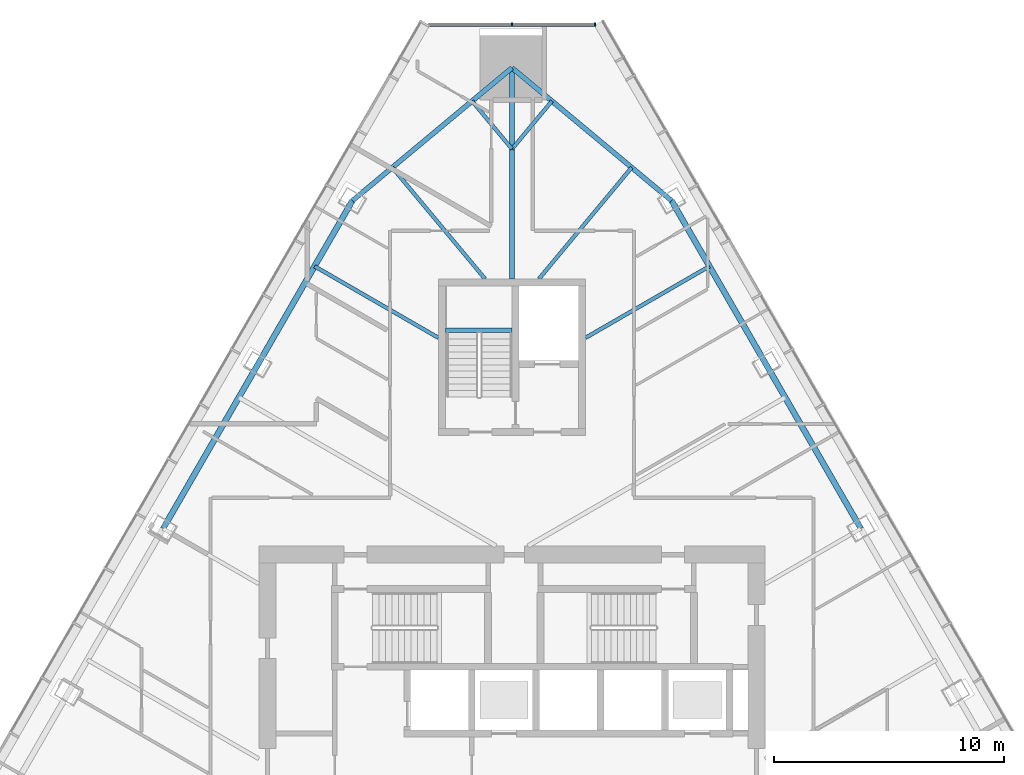
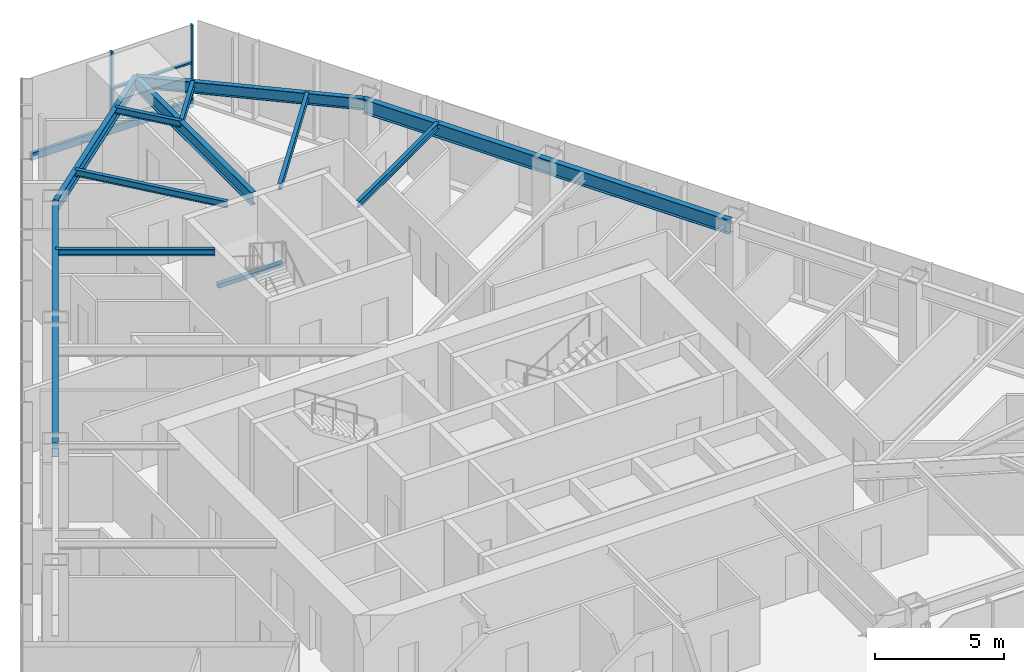
# One storey, part 8 of 16: 12 beams, 4 members, 1 element without a shape of its own.
"""IFC4 building model written with IfcOpenShell, lengths in metres."""

from ifc_helpers import new_model, si_unit, direction, frame, origin, origin_2d, place, context, subcontext, project, spatial, rectangle, i_section, extrude, material, layer, layer_set, material_profile, profile_set, type_object, element, aggregate, save


model = new_model("IFC4")

# Units and contexts
model_context = context("Model", 3, precision=1e-05, world=origin(), true_north=direction((0.0, 1.0)))
body_context = subcontext(model_context, "Body", "Model", "MODEL_VIEW")
ifc_project = project(units=[si_unit("LENGTHUNIT", "METRE"), si_unit("AREAUNIT", "SQUARE_METRE"), si_unit("VOLUMEUNIT", "CUBIC_METRE"), si_unit("PLANEANGLEUNIT", "RADIAN"), si_unit("MASSUNIT", "GRAM", prefix="KILO")], contexts=[model_context])

# Site, building, storey
site_placement = place(None, origin())
site = spatial("IfcSite", under=ifc_project, at=site_placement, CompositionType="ELEMENT")
building_placement = place(site_placement, origin())
building = spatial("IfcBuilding", under=site, at=building_placement, Name="Firuza Gate Tower and Library", CompositionType="ELEMENT")
storey_placement = place(building_placement, frame((0.0, 0.0, 229.89990234375)))
storey = spatial("IfcBuildingStorey", under=building, at=storey_placement, Name="L54", CompositionType="ELEMENT", Elevation=229.89990234375)

# Curtain wall, members
ifc_material_1 = material(Name="Aluminium 6063-T6", Category="aluminium")
ifc_layer = layer(ifc_material_1, 0.14990234375)
ifc_layer_set = layer_set([ifc_layer], Name="Corner curtain wall, chamfers")
curtain_wall_type = type_object("IfcCurtainWallType", Name="Corner curtain wall, chamfers", PredefinedType="NOTDEFINED", material=ifc_layer_set)
curtain_wall_placement = place(storey_placement, origin())
curtain_wall = element("IfcCurtainWall", 1, at=curtain_wall_placement, inside=storey, type_object=curtain_wall_type, Name="CW4 L54 N corner", PredefinedType="NOTDEFINED")
ifc_material_2 = material(Name="Aluminium 6063-T6", Category="aluminium")
ifc_material_profile_1 = material_profile(ifc_material_2, rectangle(XDim=0.14990234375, YDim=0.080078125, at=origin_2d()))
ifc_profile_set_1 = profile_set([ifc_material_profile_1], Name="Aluminium 6063-T6")
member_type_1 = type_object("IfcMemberType", Name="Curtain wall mullion 80x150", PredefinedType="MULLION", material=ifc_profile_set_1)
member_1_placement = place(storey_placement, frame((78.603271484375, 105.647705078125, 0.150146484375), z_axis=(0.0, 0.0, 1.0), x_axis=(0.0, -1.0, 0.0)))
member_1 = element("IfcMember", 2, at=member_1_placement, type_object=member_type_1, Name="Mullion", PredefinedType="MULLION", context=body_context, shape_type="SweptSolid", body=[
    extrude(rectangle(XDim=0.14990234375, YDim=0.080078125, at=origin_2d()), origin(), (0.0, 0.0, 1.0), 3.550048828125),
])
member_2_placement = place(storey_placement, frame((75.0, 105.647705078125, 0.150146484375), z_axis=(0.0, 0.0, 1.0), x_axis=(0.0, -1.0, 0.0)))
member_2 = element("IfcMember", 3, at=member_2_placement, type_object=member_type_1, Name="Mullion", PredefinedType="MULLION", context=body_context, shape_type="SweptSolid", body=[
    extrude(rectangle(XDim=0.14990234375, YDim=0.080078125, at=origin_2d()), origin(), (0.0, 0.0, 1.0), 3.550048828125),
])
ifc_material_3 = material(Name="Aluminium 6063-T6", Category="aluminium")
ifc_material_profile_2 = material_profile(ifc_material_3, rectangle(XDim=0.14990234375, YDim=0.35009765625, at=origin_2d()))
ifc_profile_set_2 = profile_set([ifc_material_profile_2], Name="Aluminium 6063-T6")
member_type_2 = type_object("IfcMemberType", Name="Curtain wall transom 350x150", PredefinedType="USERDEFINED", material=ifc_profile_set_2)
member_3_placement = place(storey_placement, frame((78.643310546875, 105.647705078125, -0.02490234375), z_axis=(-1.0, 0.0, 0.0), x_axis=(0.0, -1.0, 0.0)))
member_3 = element("IfcMember", 4, at=member_3_placement, type_object=member_type_2, Name="Transom", ObjectType="TRANSOM", PredefinedType="USERDEFINED", context=body_context, shape_type="SweptSolid", body=[
    extrude(rectangle(XDim=0.14990234375, YDim=0.35009765625, at=origin_2d()), origin(), (0.0, 0.0, 1.0), 7.28662109375),
])
ifc_material_4 = material(Name="Aluminium 6063-T6", Category="aluminium")
ifc_material_profile_3 = material_profile(ifc_material_4, rectangle(XDim=0.14990234375, YDim=0.080078125, at=origin_2d()))
ifc_profile_set_3 = profile_set([ifc_material_profile_3], Name="Aluminium 6063-T6")
member_type_3 = type_object("IfcMemberType", Name="Curtain wall transom 80x150", PredefinedType="USERDEFINED", material=ifc_profile_set_3)
member_4_placement = place(storey_placement, frame((78.603271484375, 105.647705078125, 1.925048828125), z_axis=(-1.0, 0.0, 0.0), x_axis=(0.0, -1.0, 0.0)))
member_4 = element("IfcMember", 5, at=member_4_placement, type_object=member_type_3, Name="Transom", ObjectType="TRANSOM", PredefinedType="USERDEFINED", context=body_context, shape_type="SweptSolid", body=[
    extrude(rectangle(XDim=0.14990234375, YDim=0.080078125, at=origin_2d()), origin(), (0.0, 0.0, 1.0), 3.563232421875),
])
aggregate(curtain_wall, [member_1, member_2, member_3, member_4])

# Beams
ifc_material_5 = material(Name="Concrete C35/45", Category="concrete")
ifc_material_profile_4 = material_profile(ifc_material_5, rectangle(XDim=0.199951171875, YDim=0.199951171875, at=origin_2d()))
ifc_profile_set_4 = profile_set([ifc_material_profile_4], Name="Concrete C35/45")
beam_type_1 = type_object("IfcBeamType", Name="Stair landing bearer 200x200", PredefinedType="BEAM", material=ifc_profile_set_4)
beam_1_placement = place(storey_placement, frame((75.0, 92.3701171875, 1.650146484375), z_axis=(-1.0, 0.0, 0.0), x_axis=(0.0, -1.0, 0.0)))
element("IfcBeam", 6, at=beam_1_placement, inside=storey, type_object=beam_type_1, Name="Landing bearer L54 stair 3", PredefinedType="BEAM", context=body_context, shape_type="SweptSolid", body=[
    extrude(rectangle(XDim=0.199951171875, YDim=0.199951171875, at=origin_2d()), origin(), (0.0, 0.0, 1.0), 2.89990234375),
])
ifc_material_6 = material(Name="Steel S355", Category="steel")
ifc_material_profile_5 = material_profile(ifc_material_6, i_section(OverallWidth=0.1650390625, OverallDepth=0.31005859375, WebThickness=0.005859375, FlangeThickness=0.009765625, at=origin_2d()))
ifc_profile_set_5 = profile_set([ifc_material_profile_5], Name="Steel S355")
beam_type_2 = type_object("IfcBeamType", Name="W310x39 Floor beam", PredefinedType="JOIST", material=ifc_profile_set_5)
beam_2_placement = place(storey_placement, frame((83.578369140625, 95.149658203125, 3.545166015625), z_axis=(-0.866025853686, -0.499999220746, 0.0), x_axis=(0.499999220746, -0.866025853686, 0.0)))
element("IfcBeam", 7, at=beam_2_placement, inside=storey, type_object=beam_type_2, Name="Floor beam L54 s54", PredefinedType="JOIST", context=body_context, shape_type="SweptSolid", body=[
    extrude(i_section(OverallWidth=0.1650390625, OverallDepth=0.31005859375, WebThickness=0.005859375, FlangeThickness=0.009765625, at=origin_2d()), origin(), (0.0, 0.0, 1.0), 6.21044921875),
])
beam_3_placement = place(storey_placement, frame((80.199951171875, 99.4423828125, 3.545166015625), z_axis=(-0.639902348182, -0.768456234793, 0.0), x_axis=(0.768456234793, -0.639902348182, 0.0)))
element("IfcBeam", 8, at=beam_3_placement, inside=storey, type_object=beam_type_2, Name="Floor beam L54 s60", PredefinedType="JOIST", context=body_context, shape_type="SweptSolid", body=[
    extrude(i_section(OverallWidth=0.1650390625, OverallDepth=0.31005859375, WebThickness=0.005859375, FlangeThickness=0.009765625, at=origin_2d()), origin(), (0.0, 0.0, 1.0), 6.30126953125),
])
for number, where, z_axis, x_axis, name in (
    (9, (76.7333984375, 102.3291015625, 3.545166015625), (-0.639918405833, -0.768442863117, 0.0), (0.768442863117, -0.639918405833, 0.0), "Floor beam L54 s61"),
    (10, (73.2666015625, 102.3291015625, 3.545166015625), (0.639918405833, -0.768442863117, 0.0), (0.768442863117, 0.639918405833, 0.0), "Floor beam L54 s70"),
):
    element("IfcBeam", number, at=place(storey_placement, frame(where, z_axis=z_axis, x_axis=x_axis)), inside=storey, type_object=beam_type_2, Name=name, PredefinedType="JOIST", context=body_context, shape_type="SweptSolid", body=[
        extrude(i_section(OverallWidth=0.1650390625, OverallDepth=0.31005859375, WebThickness=0.005859375, FlangeThickness=0.009765625, at=origin_2d()), origin(), (0.0, 0.0, 1.0), 2.708740234375),
    ])
beam_4_placement = place(storey_placement, frame((69.800048828125, 99.4423828125, 3.545166015625), z_axis=(0.639902348182, -0.768456234793, 0.0), x_axis=(0.768456234793, 0.639902348182, 0.0)))
element("IfcBeam", 11, at=beam_4_placement, inside=storey, type_object=beam_type_2, Name="Floor beam L54 s71", PredefinedType="JOIST", context=body_context, shape_type="SweptSolid", body=[
    extrude(i_section(OverallWidth=0.1650390625, OverallDepth=0.31005859375, WebThickness=0.005859375, FlangeThickness=0.009765625, at=origin_2d()), origin(), (0.0, 0.0, 1.0), 6.30126953125),
])
beam_5_placement = place(storey_placement, frame((66.421630859375, 95.149658203125, 3.545166015625), z_axis=(0.866025853686, -0.499999220746, 0.0), x_axis=(0.499999220746, 0.866025853686, 0.0)))
element("IfcBeam", 12, at=beam_5_placement, inside=storey, type_object=beam_type_2, Name="Floor beam L54 s80", PredefinedType="JOIST", context=body_context, shape_type="SweptSolid", body=[
    extrude(i_section(OverallWidth=0.1650390625, OverallDepth=0.31005859375, WebThickness=0.005859375, FlangeThickness=0.009765625, at=origin_2d()), origin(), (0.0, 0.0, 1.0), 6.21044921875),
])
ifc_material_7 = material(Name="Steel S355", Category="steel")
ifc_material_profile_6 = material_profile(ifc_material_7, i_section(OverallWidth=0.212890625, OverallDepth=0.5390625, WebThickness=0.01171875, FlangeThickness=0.018798828125, at=origin_2d()))
ifc_profile_set_6 = profile_set([ifc_material_profile_6], Name="Steel S355")
beam_type_3 = type_object("IfcBeamType", Name="W530x109 Edge beam", PredefinedType="SPANDREL", material=ifc_profile_set_6)
for number, where, z_axis, x_axis, name in (
    (13, (81.933349609375, 97.9990234375, 3.4306640625), (-0.768445244638, 0.639915545985, 0.0), (-0.639915545985, -0.768445244638, 0.0), "Edge beam L54 e60"),
    (14, (75.0, 103.772705078125, 3.4306640625), (-0.768445244638, -0.639915545985, 0.0), (0.639915545985, -0.768445244638, 0.0), "Edge beam L54 e70"),
):
    element("IfcBeam", number, at=place(storey_placement, frame(where, z_axis=z_axis, x_axis=x_axis)), inside=storey, type_object=beam_type_3, Name=name, PredefinedType="SPANDREL", context=body_context, shape_type="SweptSolid", body=[
        extrude(i_section(OverallWidth=0.212890625, OverallDepth=0.5390625, WebThickness=0.01171875, FlangeThickness=0.018798828125, at=origin_2d()), origin(), (0.0, 0.0, 1.0), 9.0224609375),
    ])
ifc_material_8 = material(Name="Steel S355", Category="steel")
ifc_material_profile_7 = material_profile(ifc_material_8, i_section(OverallWidth=0.22802734375, OverallDepth=0.60302734375, WebThickness=0.010498046875, FlangeThickness=0.014892578125, at=origin_2d()))
ifc_profile_set_7 = profile_set([ifc_material_profile_7], Name="Steel S355")
beam_type_4 = type_object("IfcBeamType", Name="W610x101 Girder", PredefinedType="BEAM", material=ifc_profile_set_7)
beam_6_placement = place(storey_placement, frame((75.0, 103.772705078125, 3.398681640625), z_axis=(0.0, -1.0, 0.0), x_axis=(1.0, 0.0, 0.0)))
element("IfcBeam", 15, at=beam_6_placement, inside=storey, type_object=beam_type_4, Name="Girder L54 gN", PredefinedType="BEAM", context=body_context, shape_type="SweptSolid", body=[
    extrude(i_section(OverallWidth=0.22802734375, OverallDepth=0.60302734375, WebThickness=0.010498046875, FlangeThickness=0.014892578125, at=origin_2d()), origin(), (0.0, 0.0, 1.0), 9.172607421875),
])
ifc_material_9 = material(Name="Steel S355", Category="steel")
ifc_material_profile_8 = material_profile(ifc_material_9, i_section(OverallWidth=0.2529296875, OverallDepth=0.677978515625, WebThickness=0.01171875, FlangeThickness=0.016357421875, at=origin_2d()))
ifc_profile_set_8 = profile_set([ifc_material_profile_8], Name="Steel S355")
beam_type_5 = type_object("IfcBeamType", Name="W690x125 Edge beam", PredefinedType="SPANDREL", material=ifc_profile_set_8)
for number, where, z_axis, x_axis, name in (
    (16, (90.158935546875, 83.751953125, 3.361083984375), (-0.500001643842, 0.866024454709, 0.0), (-0.866024454709, -0.500001643842, 0.0), "Edge beam L54 e52"),
    (17, (68.066650390625, 97.9990234375, 3.361083984375), (-0.500001643842, -0.866024454709, 0.0), (0.866024454709, -0.500001643842, 0.0), "Edge beam L54 e80"),
):
    element("IfcBeam", number, at=place(storey_placement, frame(where, z_axis=z_axis, x_axis=x_axis)), inside=storey, type_object=beam_type_5, Name=name, PredefinedType="SPANDREL", context=body_context, shape_type="SweptSolid", body=[
        extrude(i_section(OverallWidth=0.2529296875, OverallDepth=0.677978515625, WebThickness=0.01171875, FlangeThickness=0.016357421875, at=origin_2d()), origin(), (0.0, 0.0, 1.0), 16.451171875),
    ])

save(model, "model.ifc")
